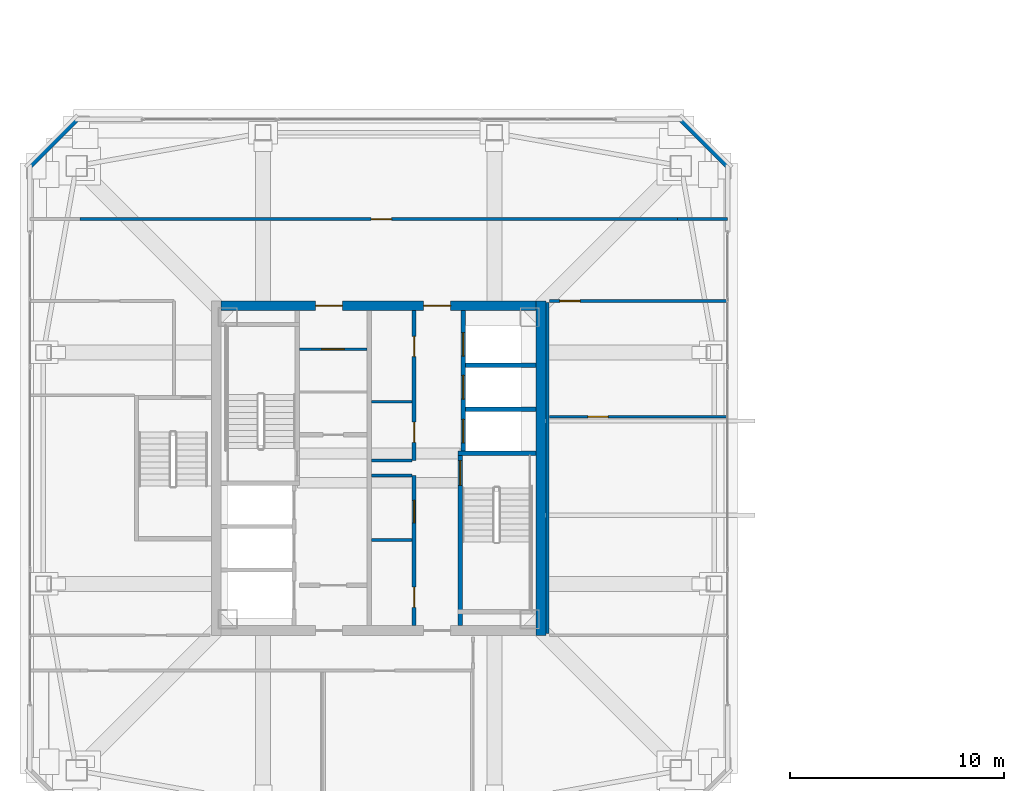
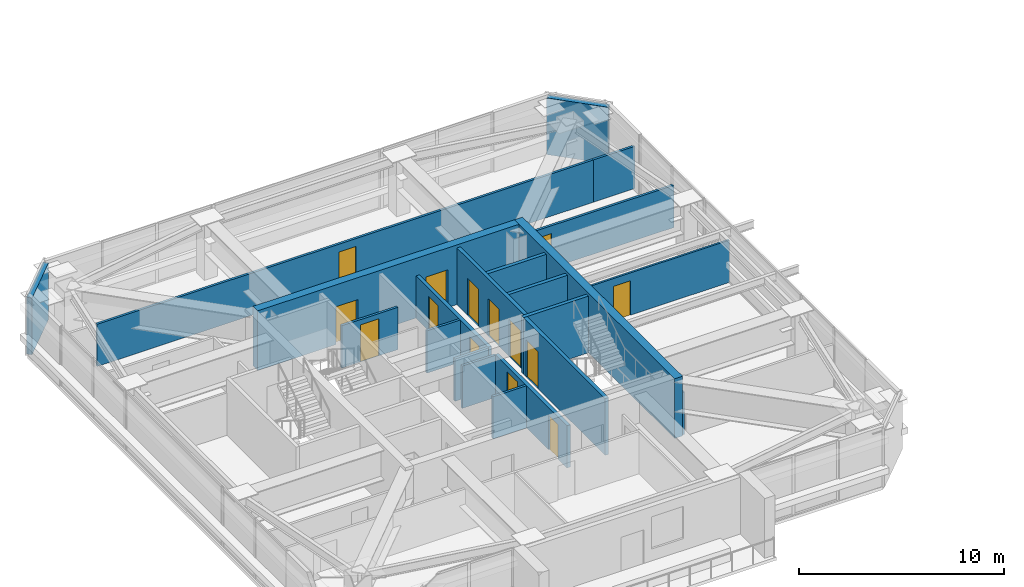
# One storey, part 31 of 40: 21 walls, 14 doors, 14 openings.
"""IFC4 building model written with IfcOpenShell, lengths in metres."""

from ifc_helpers import new_model, si_unit, direction, frame, frame_2d, origin, place, context, subcontext, project, spatial, rectangle, extrude, material, layer, layer_set, type_object, element, fill, save


model = new_model("IFC4")

# Units and contexts
model_context = context("Model", 3, precision=1e-05, world=origin(), true_north=direction((0.0, 1.0)))
body_context = subcontext(model_context, "Body", "Model", "MODEL_VIEW")
ifc_project = project(units=[si_unit("LENGTHUNIT", "METRE"), si_unit("AREAUNIT", "SQUARE_METRE"), si_unit("VOLUMEUNIT", "CUBIC_METRE"), si_unit("PLANEANGLEUNIT", "RADIAN"), si_unit("MASSUNIT", "GRAM", prefix="KILO")], contexts=[model_context])

# Site, building, storey
site_placement = place(None, origin())
site = spatial("IfcSite", under=ifc_project, at=site_placement, CompositionType="ELEMENT")
building_placement = place(site_placement, origin())
building = spatial("IfcBuilding", under=site, at=building_placement, Name="Tashvorn Skyway Center", CompositionType="ELEMENT")
storey_placement = place(building_placement, frame((0.0, 0.0, 229.050048828125)))
storey = spatial("IfcBuildingStorey", under=building, at=storey_placement, Name="L62", CompositionType="ELEMENT", Elevation=229.050048828125)

# Wall
ifc_material_1 = material(Name="Concrete C50/60", Category="concrete")
ifc_layer_1 = layer(ifc_material_1, 0.449951171875)
ifc_layer_set_1 = layer_set([ifc_layer_1], Name="Concrete C50/60")
wall_type_1 = type_object("IfcWallType", Name="WALL-CORE-450", PredefinedType="SHEAR", material=ifc_layer_set_1)
wall_1_placement = place(storey_placement, frame((49.574951171875, 39.800048828125, 0.0), z_axis=(0.0, 0.0, 1.0), x_axis=(0.0, -1.0, 0.0)))
element("IfcWall", 1, at=wall_1_placement, inside=storey, type_object=wall_type_1, Name="Tower 1 L62 East Core Shear Wall", PredefinedType="SHEAR", context=body_context, shape_type="SweptSolid", body=[
    extrude(rectangle(XDim=15.60009765625, YDim=0.449951171875, at=frame_2d((7.800048828125, 0.0))), origin(), (0.0, 0.0, 1.0), 3.550048828125),
])

# Wall, openings, doors
wall_2_placement = place(storey_placement, frame((34.64990234375, 39.574951171875, 0.0), z_axis=(0.0, 0.0, 1.0), x_axis=(1.0, 0.0, 0.0)))
wall_2 = element("IfcWall", 2, at=wall_2_placement, inside=storey, type_object=wall_type_1, Name="Tower 1 L62 North Core Shear Wall", PredefinedType="SHEAR", context=body_context, shape_type="SweptSolid", body=[
    extrude(rectangle(XDim=14.7001953125, YDim=0.449951171875, at=frame_2d((7.35009765625, 0.0))), origin(), (0.0, 0.0, 1.0), 3.550048828125),
])
opening_1_placement = place(wall_2_placement, frame((4.39990234375, 0.0, 0.0)))
opening_1 = element("IfcOpeningElement", 3, at=opening_1_placement, cuts=wall_2, Name="Opening D-FFL-1250", PredefinedType="OPENING", context=body_context, shape_type="SweptSolid", body=[
    extrude(rectangle(XDim=1.25, YDim=2.25, at=frame_2d((0.625, 1.125))), frame((0.0, 0.23486328125, 0.0), z_axis=(0.0, -1.0, 0.0), x_axis=(1.0, 0.0, 0.0)), (0.0, 0.0, 1.0), 0.469970703125),
])
opening_2_placement = place(wall_2_placement, frame((9.449951171875, 0.0, 0.0)))
opening_2 = element("IfcOpeningElement", 4, at=opening_2_placement, cuts=wall_2, Name="Opening D-FFL-1250", PredefinedType="OPENING", context=body_context, shape_type="SweptSolid", body=[
    extrude(rectangle(XDim=1.25, YDim=2.25, at=frame_2d((0.625, 1.125))), frame((0.0, 0.23486328125, 0.0), z_axis=(0.0, -1.0, 0.0), x_axis=(1.0, 0.0, 0.0)), (0.0, 0.0, 1.0), 0.469970703125),
])
ifc_material_2 = material(Name="Hollow galvanized steel fire door assembly", Category="steel")
door_type_1 = type_object("IfcDoorType", Name="DOOR-FFL-1250", OperationType="NOTDEFINED", PredefinedType="DOOR", material=ifc_material_2)
door_1_placement = place(opening_1_placement, origin())
door_1 = element("IfcDoor", 5, at=door_1_placement, inside=storey, type_object=door_type_1, Name="Tower 1 L62 Core North Service Lobby Door", OperationType="SINGLE_SWING_LEFT", OverallHeight=2.25, OverallWidth=1.25, PredefinedType="DOOR", context=body_context, shape_type="SweptSolid", body=[
    extrude(rectangle(XDim=1.25, YDim=2.25, at=frame_2d((0.625, 1.125))), frame((0.0, 0.02490234375, 0.0), z_axis=(0.0, -1.0, 0.0), x_axis=(1.0, 0.0, 0.0)), (0.0, 0.0, 1.0), 0.050048828125),
])
fill(opening_1, door_1)
door_2_placement = place(opening_2_placement, origin())
door_2 = element("IfcDoor", 6, at=door_2_placement, inside=storey, type_object=door_type_1, Name="Tower 1 L62 Core North Lift Lobby Door", OperationType="SINGLE_SWING_RIGHT", OverallHeight=2.25, OverallWidth=1.25, PredefinedType="DOOR", context=body_context, shape_type="SweptSolid", body=[
    extrude(rectangle(XDim=1.25, YDim=2.25, at=frame_2d((0.625, 1.125))), frame((0.0, 0.02490234375, 0.0), z_axis=(0.0, -1.0, 0.0), x_axis=(1.0, 0.0, 0.0)), (0.0, 0.0, 1.0), 0.050048828125),
])
fill(opening_2, door_2)

# Walls
ifc_material_3 = material(Name="Precast concrete C40/50", Category="concrete")
ifc_layer_2 = layer(ifc_material_3, 0.280029296875)
ifc_layer_set_2 = layer_set([ifc_layer_2], Name="Precast concrete C40/50")
wall_type_2 = type_object("IfcWallType", Name="WALL-EXT-280", PredefinedType="SOLIDWALL", material=ifc_layer_set_2)
for number, where, z_axis, x_axis, name in (
    (7, (25.699951171875, 46.10009765625, 0.0), (0.0, 0.0, 1.0), (0.707106781187, 0.707106781187, 0.0), "Tower 1 L62 NW Precast Chamfer Wall"),
    (8, (56.10009765625, 48.300048828125, 0.0), (0.0, 0.0, 1.0), (0.707106781187, -0.707106781187, 0.0), "Tower 1 L62 NE Precast Chamfer Wall"),
):
    element("IfcWall", number, at=place(storey_placement, frame(where, z_axis=z_axis, x_axis=x_axis)), inside=storey, type_object=wall_type_2, Name=name, PredefinedType="SOLIDWALL", context=body_context, shape_type="SweptSolid", body=[
        extrude(rectangle(XDim=3.111083984375, YDim=0.280029296875, at=frame_2d((1.5556640625, 0.0))), origin(), (0.0, 0.0, 1.0), 3.369873046875),
    ])

# Wall, opening, door
ifc_material_4 = material(Name="Gypsum board on cold-formed steel stud framing", Category="steel")
ifc_layer_3 = layer(ifc_material_4, 0.110107421875)
ifc_layer_set_3 = layer_set([ifc_layer_3], Name="Gypsum board on cold-formed steel stud framing")
wall_type_3 = type_object("IfcWallType", Name="WALL-PART-110", PredefinedType="PARTITIONING", material=ifc_layer_set_3)
wall_3_placement = place(storey_placement, frame((49.9599609375, 34.39990234375, 0.0), z_axis=(0.0, 0.0, 1.0), x_axis=(1.0, 0.0, 0.0)))
wall_3 = element("IfcWall", 9, at=wall_3_placement, inside=storey, type_object=wall_type_3, Name="Tower 1 L62 East Mid Partition", PredefinedType="PARTITIONING", context=body_context, shape_type="SweptSolid", body=[
    extrude(rectangle(XDim=8.320068359375, YDim=0.110107421875, at=frame_2d((4.16015625, 0.0))), origin(), (0.0, 0.0, 1.0), 2.512939453125),
])
opening_3_placement = place(wall_3_placement, frame((1.800048828125, 0.0, 0.0)))
opening_3 = element("IfcOpeningElement", 10, at=opening_3_placement, cuts=wall_3, Name="Opening D-INT-950", PredefinedType="OPENING", context=body_context, shape_type="SweptSolid", body=[
    extrude(rectangle(XDim=0.949951171875, YDim=2.050048828125, at=frame_2d((0.47509765625, 1.02490234375))), frame((0.0, 0.06494140625, 0.0), z_axis=(0.0, -1.0, 0.0), x_axis=(1.0, 0.0, 0.0)), (0.0, 0.0, 1.0), 0.130126953125),
])
ifc_material_5 = material(Name="Solid-core architectural oak veneer door")
door_type_2 = type_object("IfcDoorType", Name="DOOR-INT-950", OperationType="NOTDEFINED", PredefinedType="DOOR", material=ifc_material_5)
door_3_placement = place(opening_3_placement, origin())
door_3 = element("IfcDoor", 11, at=door_3_placement, inside=storey, type_object=door_type_2, Name="Tower 1 L62 Reading Lounge Door", OperationType="SINGLE_SWING_RIGHT", OverallHeight=2.050048828125, OverallWidth=0.949951171875, PredefinedType="DOOR", context=body_context, shape_type="SweptSolid", body=[
    extrude(rectangle(XDim=0.949951171875, YDim=2.050048828125, at=frame_2d((0.47509765625, 1.02490234375))), frame((0.0, 0.02490234375, 0.0), z_axis=(0.0, -1.0, 0.0), x_axis=(1.0, 0.0, 0.0)), (0.0, 0.0, 1.0), 0.050048828125),
])
fill(opening_3, door_3)

ifc_layer_4 = layer(ifc_material_4, 0.135009765625)
ifc_layer_set_4 = layer_set([ifc_layer_4], Name="Gypsum board on cold-formed steel stud framing")
wall_type_4 = type_object("IfcWallType", Name="WALL-PART-135", PredefinedType="PARTITIONING", material=ifc_layer_set_4)
wall_4_placement = place(storey_placement, frame((28.050048828125, 43.6201171875, 0.0), z_axis=(0.0, 0.0, 1.0), x_axis=(1.0, 0.0, 0.0)))
wall_4 = element("IfcWall", 12, at=wall_4_placement, inside=storey, type_object=wall_type_4, Name="Tower 1 L62 North Suite Wall", PredefinedType="PARTITIONING", context=body_context, shape_type="SweptSolid", body=[
    extrude(rectangle(XDim=27.89990234375, YDim=0.135009765625, at=frame_2d((13.949951171875, 0.0))), origin(), (0.0, 0.0, 1.0), 2.512939453125),
])
opening_4_placement = place(wall_4_placement, frame((13.6005859375, 0.0, 0.0)))
opening_4 = element("IfcOpeningElement", 13, at=opening_4_placement, cuts=wall_4, Name="Opening D-INT-950", PredefinedType="OPENING", context=body_context, shape_type="SweptSolid", body=[
    extrude(rectangle(XDim=0.949951171875, YDim=2.050048828125, at=frame_2d((0.47509765625, 1.02490234375))), frame((0.0, 0.077392578125, 0.0), z_axis=(0.0, -1.0, 0.0), x_axis=(1.0, 0.0, 0.0)), (0.0, 0.0, 1.0), 0.155029296875),
])
door_4_placement = place(opening_4_placement, origin())
door_4 = element("IfcDoor", 14, at=door_4_placement, inside=storey, type_object=door_type_2, Name="Tower 1 L62 Executive Study Lounge Door", OperationType="SINGLE_SWING_LEFT", OverallHeight=2.050048828125, OverallWidth=0.949951171875, PredefinedType="DOOR", context=body_context, shape_type="SweptSolid", body=[
    extrude(rectangle(XDim=0.949951171875, YDim=2.050048828125, at=frame_2d((0.47509765625, 1.02490234375))), frame((0.0, 0.02490234375, 0.0), z_axis=(0.0, -1.0, 0.0), x_axis=(1.0, 0.0, 0.0)), (0.0, 0.0, 1.0), 0.050048828125),
])
fill(opening_4, door_4)

# Walls
wall_5_placement = place(storey_placement, frame((55.949951171875, 43.6201171875, 0.0), z_axis=(0.0, 0.0, 1.0), x_axis=(1.0, 0.0, 0.0)))
element("IfcWall", 15, at=wall_5_placement, inside=storey, type_object=wall_type_4, Name="Tower 1 L62 North-East Suite South Wall", PredefinedType="PARTITIONING", context=body_context, shape_type="SweptSolid", body=[
    extrude(rectangle(XDim=2.330078125, YDim=0.135009765625, at=frame_2d((1.1650390625, 0.0))), origin(), (0.0, 0.0, 1.0), 2.512939453125),
])
wall_6_placement = place(storey_placement, frame((49.8798828125, 39.719970703125, 0.0), z_axis=(0.0, 0.0, 1.0), x_axis=(0.0, -1.0, 0.0)))
element("IfcWall", 16, at=wall_6_placement, inside=storey, type_object=wall_type_4, Name="Tower 1 L62 East Inner Suite Wall", PredefinedType="PARTITIONING", context=body_context, shape_type="SweptSolid", body=[
    extrude(rectangle(XDim=15.43994140625, YDim=0.135009765625, at=frame_2d((7.719970703125, 0.0))), origin(), (0.0, 0.0, 1.0), 2.512939453125),
])

# Wall, opening, door
wall_7_placement = place(storey_placement, frame((58.280029296875, 39.800048828125, 0.0), z_axis=(0.0, 0.0, 1.0), x_axis=(-1.0, 0.0, 0.0)))
wall_7 = element("IfcWall", 17, at=wall_7_placement, inside=storey, type_object=wall_type_4, Name="Tower 1 L62 East Suite North Wall", PredefinedType="PARTITIONING", context=body_context, shape_type="SweptSolid", body=[
    extrude(rectangle(XDim=8.320068359375, YDim=0.135009765625, at=frame_2d((4.16015625, 0.0))), origin(), (0.0, 0.0, 1.0), 2.512939453125),
])
opening_5_placement = place(wall_7_placement, frame((6.8798828125, 0.0, 0.0)))
opening_5 = element("IfcOpeningElement", 18, at=opening_5_placement, cuts=wall_7, Name="Opening D-INT-950", PredefinedType="OPENING", context=body_context, shape_type="SweptSolid", body=[
    extrude(rectangle(XDim=0.949951171875, YDim=2.050048828125, at=frame_2d((0.47509765625, 1.02490234375))), frame((0.0, 0.077392578125, 0.0), z_axis=(0.0, -1.0, 0.0), x_axis=(1.0, 0.0, 0.0)), (0.0, 0.0, 1.0), 0.155029296875),
])
door_5_placement = place(opening_5_placement, origin())
door_5 = element("IfcDoor", 19, at=door_5_placement, inside=storey, type_object=door_type_2, Name="Tower 1 L62 Open Plan Office Door", OperationType="SINGLE_SWING_LEFT", OverallHeight=2.050048828125, OverallWidth=0.949951171875, PredefinedType="DOOR", context=body_context, shape_type="SweptSolid", body=[
    extrude(rectangle(XDim=0.949951171875, YDim=2.050048828125, at=frame_2d((0.47509765625, 1.02490234375))), frame((0.0, 0.02490234375, 0.0), z_axis=(0.0, -1.0, 0.0), x_axis=(1.0, 0.0, 0.0)), (0.0, 0.0, 1.0), 0.050048828125),
])
fill(opening_5, door_5)

ifc_layer_5 = layer(ifc_material_4, 0.135009765625)
ifc_layer_set_5 = layer_set([ifc_layer_5], Name="Gypsum board on cold-formed steel stud framing")
wall_type_5 = type_object("IfcWallType", Name="WALL-RATED-135", PredefinedType="PARTITIONING", material=ifc_layer_set_5)
wall_8_placement = place(storey_placement, frame((38.300048828125, 37.550048828125, 0.0), z_axis=(0.0, 0.0, 1.0), x_axis=(1.0, 0.0, 0.0)))
wall_8 = element("IfcWall", 20, at=wall_8_placement, inside=storey, type_object=wall_type_5, Name="Tower 1 L62 Core Service Lobby Wall", PredefinedType="PARTITIONING", context=body_context, shape_type="SweptSolid", body=[
    extrude(rectangle(XDim=3.14990234375, YDim=0.135009765625, at=frame_2d((1.574951171875, 0.0))), origin(), (0.0, 0.0, 1.0), 2.512939453125),
])
opening_6_placement = place(wall_8_placement, frame((1.050048828125, 0.0, 0.0)))
opening_6 = element("IfcOpeningElement", 21, at=opening_6_placement, cuts=wall_8, Name="Opening D-RT-1050", PredefinedType="OPENING", context=body_context, shape_type="SweptSolid", body=[
    extrude(rectangle(XDim=1.050048828125, YDim=2.199951171875, at=frame_2d((0.52490234375, 1.10009765625))), frame((0.0, 0.077392578125, 0.0), z_axis=(0.0, -1.0, 0.0), x_axis=(1.0, 0.0, 0.0)), (0.0, 0.0, 1.0), 0.155029296875),
])
door_type_3 = type_object("IfcDoorType", Name="DOOR-RATED-1050", OperationType="NOTDEFINED", PredefinedType="DOOR", material=ifc_material_2)
door_6_placement = place(opening_6_placement, origin())
door_6 = element("IfcDoor", 22, at=door_6_placement, inside=storey, type_object=door_type_3, Name="Tower 1 L62 Core Accessible WC Door", OperationType="SINGLE_SWING_RIGHT", OverallHeight=2.199951171875, OverallWidth=1.050048828125, PredefinedType="DOOR", context=body_context, shape_type="SweptSolid", body=[
    extrude(rectangle(XDim=1.050048828125, YDim=2.199951171875, at=frame_2d((0.52490234375, 1.10009765625))), frame((0.0, 0.02490234375, 0.0), z_axis=(0.0, -1.0, 0.0), x_axis=(1.0, 0.0, 0.0)), (0.0, 0.0, 1.0), 0.050048828125),
])
fill(opening_6, door_6)

# Walls
for number, where, z_axis, x_axis, name in (
    (23, (41.669921875, 31.64990234375, 0.0), (0.0, 0.0, 1.0), (1.0, 0.0, 0.0), "Tower 1 L62 Core Room Partition"),
    (24, (41.669921875, 28.64990234375, 0.0), (0.0, 0.0, 1.0), (1.0, 0.0, 0.0), "Tower 1 L62 Freed Core Partition"),
    (25, (41.669921875, 32.35009765625, 0.0), (0.0, 0.0, 1.0), (1.0, 0.0, 0.0), "Tower 1 L62 Core Room Partition"),
    (26, (41.669921875, 35.10009765625, 0.0), (0.0, 0.0, 1.0), (1.0, 0.0, 0.0), "Tower 1 L62 Freed Mid-Rise Partition"),
):
    element("IfcWall", number, at=place(storey_placement, frame(where, z_axis=z_axis, x_axis=x_axis)), inside=storey, type_object=wall_type_5, Name=name, PredefinedType="PARTITIONING", context=body_context, shape_type="SweptSolid", body=[
        extrude(rectangle(XDim=1.880126953125, YDim=0.135009765625, at=frame_2d((0.93994140625, 0.0))), origin(), (0.0, 0.0, 1.0), 2.512939453125),
    ])
ifc_material_6 = material(Name="Concrete C40/50", Category="concrete")
ifc_layer_6 = layer(ifc_material_6, 0.199951171875)
ifc_layer_set_6 = layer_set([ifc_layer_6], Name="Concrete C40/50")
wall_type_6 = type_object("IfcWallType", Name="WALL-SHAFT-200", PredefinedType="SOLIDWALL", material=ifc_layer_set_6)
for number, where, z_axis, x_axis, name in (
    (27, (46.050048828125, 34.75, 0.0), (0.0, 0.0, 1.0), (1.0, 0.0, 0.0), "Tower 1 L62 High-Rise Shaft Divider"),
    (28, (46.050048828125, 36.800048828125, 0.0), (0.0, 0.0, 1.0), (1.0, 0.0, 0.0), "Tower 1 L62 High-Rise Shaft Divider"),
):
    element("IfcWall", number, at=place(storey_placement, frame(where, z_axis=z_axis, x_axis=x_axis)), inside=storey, type_object=wall_type_6, Name=name, PredefinedType="SOLIDWALL", context=body_context, shape_type="SweptSolid", body=[
        extrude(rectangle(XDim=3.300048828125, YDim=0.199951171875, at=frame_2d((1.64990234375, 0.0))), origin(), (0.0, 0.0, 1.0), 3.369873046875),
    ])

# Wall, openings, doors
wall_9_placement = place(storey_placement, frame((43.64990234375, 24.64990234375, 0.0), z_axis=(0.0, 0.0, 1.0), x_axis=(0.0, 1.0, 0.0)))
wall_9 = element("IfcWall", 29, at=wall_9_placement, inside=storey, type_object=wall_type_6, Name="Tower 1 L62 Low-Rise Core Wall", PredefinedType="SOLIDWALL", context=body_context, shape_type="SweptSolid", body=[
    extrude(rectangle(XDim=7.0, YDim=0.199951171875, at=frame_2d((3.5, 0.0))), origin(), (0.0, 0.0, 1.0), 2.512939453125),
])
opening_7_placement = place(wall_9_placement, frame((0.85009765625, 0.0, 0.0)))
opening_7 = element("IfcOpeningElement", 30, at=opening_7_placement, cuts=wall_9, Name="Opening D-RT-950", PredefinedType="OPENING", context=body_context, shape_type="SweptSolid", body=[
    extrude(rectangle(XDim=0.949951171875, YDim=2.050048828125, at=frame_2d((0.47509765625, 1.02490234375))), frame((0.0, 0.10986328125, 0.0), z_axis=(0.0, -1.0, 0.0), x_axis=(1.0, 0.0, 0.0)), (0.0, 0.0, 1.0), 0.219970703125),
])
opening_8_placement = place(wall_9_placement, frame((4.800048828125, 0.0, 0.0)))
opening_8 = element("IfcOpeningElement", 31, at=opening_8_placement, cuts=wall_9, Name="Opening D-RT-1050", PredefinedType="OPENING", context=body_context, shape_type="SweptSolid", body=[
    extrude(rectangle(XDim=1.050048828125, YDim=2.199951171875, at=frame_2d((0.52490234375, 1.10009765625))), frame((0.0, 0.10986328125, 0.0), z_axis=(0.0, -1.0, 0.0), x_axis=(1.0, 0.0, 0.0)), (0.0, 0.0, 1.0), 0.219970703125),
])
door_7_placement = place(opening_8_placement, origin())
door_7 = element("IfcDoor", 32, at=door_7_placement, inside=storey, type_object=door_type_3, Name="Tower 1 L62 Freed Core Room Door", OperationType="SINGLE_SWING_RIGHT", OverallHeight=2.199951171875, OverallWidth=1.050048828125, PredefinedType="DOOR", context=body_context, shape_type="SweptSolid", body=[
    extrude(rectangle(XDim=1.050048828125, YDim=2.199951171875, at=frame_2d((0.52490234375, 1.10009765625))), frame((0.0, 0.02490234375, 0.0), z_axis=(0.0, -1.0, 0.0), x_axis=(1.0, 0.0, 0.0)), (0.0, 0.0, 1.0), 0.050048828125),
])
fill(opening_8, door_7)
door_type_4 = type_object("IfcDoorType", Name="DOOR-RATED-950", OperationType="NOTDEFINED", PredefinedType="DOOR", material=ifc_material_2)
door_8_placement = place(opening_7_placement, origin())
door_8 = element("IfcDoor", 33, at=door_8_placement, inside=storey, type_object=door_type_4, Name="Tower 1 L62 Core Print Room Door", OperationType="SINGLE_SWING_LEFT", OverallHeight=2.050048828125, OverallWidth=0.949951171875, PredefinedType="DOOR", context=body_context, shape_type="SweptSolid", body=[
    extrude(rectangle(XDim=0.949951171875, YDim=2.050048828125, at=frame_2d((0.47509765625, 1.02490234375))), frame((0.0, 0.02490234375, 0.0), z_axis=(0.0, -1.0, 0.0), x_axis=(1.0, 0.0, 0.0)), (0.0, 0.0, 1.0), 0.050048828125),
])
fill(opening_7, door_8)

wall_10_placement = place(storey_placement, frame((43.64990234375, 32.35009765625, 0.0), z_axis=(0.0, 0.0, 1.0), x_axis=(0.0, 1.0, 0.0)))
wall_10 = element("IfcWall", 34, at=wall_10_placement, inside=storey, type_object=wall_type_6, Name="Tower 1 L62 Mid-Rise Core Wall", PredefinedType="SOLIDWALL", context=body_context, shape_type="SweptSolid", body=[
    extrude(rectangle(XDim=7.0, YDim=0.199951171875, at=frame_2d((3.5, 0.0))), origin(), (0.0, 0.0, 1.0), 2.512939453125),
])
opening_9_placement = place(wall_10_placement, frame((0.85009765625, 0.0, 0.0)))
opening_9 = element("IfcOpeningElement", 35, at=opening_9_placement, cuts=wall_10, Name="Opening D-RT-950", PredefinedType="OPENING", context=body_context, shape_type="SweptSolid", body=[
    extrude(rectangle(XDim=0.949951171875, YDim=2.050048828125, at=frame_2d((0.47509765625, 1.02490234375))), frame((0.0, 0.10986328125, 0.0), z_axis=(0.0, -1.0, 0.0), x_axis=(1.0, 0.0, 0.0)), (0.0, 0.0, 1.0), 0.219970703125),
])
opening_10_placement = place(wall_10_placement, frame((4.85009765625, 0.0, 0.0)))
opening_10 = element("IfcOpeningElement", 36, at=opening_10_placement, cuts=wall_10, Name="Opening D-RT-950", PredefinedType="OPENING", context=body_context, shape_type="SweptSolid", body=[
    extrude(rectangle(XDim=0.949951171875, YDim=2.050048828125, at=frame_2d((0.47509765625, 1.02490234375))), frame((0.0, 0.10986328125, 0.0), z_axis=(0.0, -1.0, 0.0), x_axis=(1.0, 0.0, 0.0)), (0.0, 0.0, 1.0), 0.219970703125),
])
door_9_placement = place(opening_9_placement, origin())
door_9 = element("IfcDoor", 37, at=door_9_placement, inside=storey, type_object=door_type_4, Name="Tower 1 L62 Core IT Room Door", OperationType="SINGLE_SWING_RIGHT", OverallHeight=2.050048828125, OverallWidth=0.949951171875, PredefinedType="DOOR", context=body_context, shape_type="SweptSolid", body=[
    extrude(rectangle(XDim=0.949951171875, YDim=2.050048828125, at=frame_2d((0.47509765625, 1.02490234375))), frame((0.0, 0.02490234375, 0.0), z_axis=(0.0, -1.0, 0.0), x_axis=(1.0, 0.0, 0.0)), (0.0, 0.0, 1.0), 0.050048828125),
])
fill(opening_9, door_9)
door_10_placement = place(opening_10_placement, origin())
door_10 = element("IfcDoor", 38, at=door_10_placement, inside=storey, type_object=door_type_4, Name="Tower 1 L62 Core Catering Pantry Door", OperationType="SINGLE_SWING_LEFT", OverallHeight=2.050048828125, OverallWidth=0.949951171875, PredefinedType="DOOR", context=body_context, shape_type="SweptSolid", body=[
    extrude(rectangle(XDim=0.949951171875, YDim=2.050048828125, at=frame_2d((0.47509765625, 1.02490234375))), frame((0.0, 0.02490234375, 0.0), z_axis=(0.0, -1.0, 0.0), x_axis=(1.0, 0.0, 0.0)), (0.0, 0.0, 1.0), 0.050048828125),
])
fill(opening_10, door_10)

# Wall, opening, door
ifc_layer_7 = layer(ifc_material_6, 0.199951171875)
ifc_layer_set_7 = layer_set([ifc_layer_7], Name="Concrete C40/50")
wall_type_7 = type_object("IfcWallType", Name="WALL-STSHF-200", PredefinedType="SHEAR", material=ifc_layer_set_7)
wall_11_placement = place(storey_placement, frame((45.800048828125, 32.800048828125, 0.0), z_axis=(0.0, 0.0, 1.0), x_axis=(0.0, -1.0, 0.0)))
wall_11 = element("IfcWall", 39, at=wall_11_placement, inside=storey, type_object=wall_type_7, Name="Tower 1 L62 Stair 2 Enclosure Wall", PredefinedType="SHEAR", context=body_context, shape_type="SweptSolid", body=[
    extrude(rectangle(XDim=8.150146484375, YDim=0.199951171875, at=frame_2d((4.0751953125, 0.0))), origin(), (0.0, 0.0, 1.0), 3.369873046875),
])
opening_11_placement = place(wall_11_placement, frame((0.449951171875, 0.0, 0.0)))
opening_11 = element("IfcOpeningElement", 40, at=opening_11_placement, cuts=wall_11, Name="Opening D-ST-1150", PredefinedType="OPENING", context=body_context, shape_type="SweptSolid", body=[
    extrude(rectangle(XDim=1.14990234375, YDim=2.199951171875, at=frame_2d((0.574951171875, 1.10009765625))), frame((0.0, 0.10986328125, 0.0), z_axis=(0.0, -1.0, 0.0), x_axis=(1.0, 0.0, 0.0)), (0.0, 0.0, 1.0), 0.219970703125),
])
door_type_5 = type_object("IfcDoorType", Name="DOOR-STAIR-1150", OperationType="NOTDEFINED", PredefinedType="DOOR", material=ifc_material_2)
door_11_placement = place(opening_11_placement, origin())
door_11 = element("IfcDoor", 41, at=door_11_placement, inside=storey, type_object=door_type_5, Name="Tower 1 L62 Exit Stair 2 Door", OperationType="SINGLE_SWING_RIGHT", OverallHeight=2.199951171875, OverallWidth=1.14990234375, PredefinedType="DOOR", context=body_context, shape_type="SweptSolid", body=[
    extrude(rectangle(XDim=1.14990234375, YDim=2.199951171875, at=frame_2d((0.574951171875, 1.10009765625))), frame((0.0, 0.02490234375, 0.0), z_axis=(0.0, -1.0, 0.0), x_axis=(1.0, 0.0, 0.0)), (0.0, 0.0, 1.0), 0.050048828125),
])
fill(opening_11, door_11)

# Wall
wall_12_placement = place(storey_placement, frame((45.699951171875, 32.699951171875, 0.0), z_axis=(0.0, 0.0, 1.0), x_axis=(1.0, 0.0, 0.0)))
element("IfcWall", 42, at=wall_12_placement, inside=storey, type_object=wall_type_7, Name="Tower 1 L62 Stair 2 North Wall", PredefinedType="SHEAR", context=body_context, shape_type="SweptSolid", body=[
    extrude(rectangle(XDim=3.650146484375, YDim=0.199951171875, at=frame_2d((1.8251953125, 0.0))), origin(), (0.0, 0.0, 1.0), 3.369873046875),
])

# Wall, openings, doors
wall_13_placement = place(storey_placement, frame((45.949951171875, 39.35009765625, 0.0), z_axis=(0.0, 0.0, 1.0), x_axis=(0.0, -1.0, 0.0)))
wall_13 = element("IfcWall", 43, at=wall_13_placement, inside=storey, type_object=wall_type_7, Name="Tower 1 L62 High-Rise Lift Shaft Front Wall", PredefinedType="SHEAR", context=body_context, shape_type="SweptSolid", body=[
    extrude(rectangle(XDim=6.550048828125, YDim=0.199951171875, at=frame_2d((3.27490234375, 0.0))), origin(), (0.0, 0.0, 1.0), 3.369873046875),
])
opening_12_placement = place(wall_13_placement, frame((5.074951171875, 0.0, 0.0)))
opening_12 = element("IfcOpeningElement", 44, at=opening_12_placement, cuts=wall_13, Name="Opening LD-HR-T1-1-L62", PredefinedType="OPENING", context=body_context, shape_type="SweptSolid", body=[
    extrude(rectangle(XDim=1.10009765625, YDim=2.199951171875, at=frame_2d((0.550048828125, 1.10009765625))), frame((0.0, 0.10986328125, 0.0), z_axis=(0.0, -1.0, 0.0), x_axis=(1.0, 0.0, 0.0)), (0.0, 0.0, 1.0), 0.219970703125),
])
opening_13_placement = place(wall_13_placement, frame((3.02490234375, 0.0, 0.0)))
opening_13 = element("IfcOpeningElement", 45, at=opening_13_placement, cuts=wall_13, Name="Opening LD-HR-T1-2-L62", PredefinedType="OPENING", context=body_context, shape_type="SweptSolid", body=[
    extrude(rectangle(XDim=1.10009765625, YDim=2.199951171875, at=frame_2d((0.550048828125, 1.10009765625))), frame((0.0, 0.10986328125, 0.0), z_axis=(0.0, -1.0, 0.0), x_axis=(1.0, 0.0, 0.0)), (0.0, 0.0, 1.0), 0.219970703125),
])
opening_14_placement = place(wall_13_placement, frame((1.02490234375, 0.0, 0.0)))
opening_14 = element("IfcOpeningElement", 46, at=opening_14_placement, cuts=wall_13, Name="Opening LD-HR-T1-3-L62", PredefinedType="OPENING", context=body_context, shape_type="SweptSolid", body=[
    extrude(rectangle(XDim=1.10009765625, YDim=2.199951171875, at=frame_2d((0.550048828125, 1.10009765625))), frame((0.0, 0.10986328125, 0.0), z_axis=(0.0, -1.0, 0.0), x_axis=(1.0, 0.0, 0.0)), (0.0, 0.0, 1.0), 0.219970703125),
])
ifc_material_7 = material(Name="Stainless steel landing door", Category="steel")
door_type_6 = type_object("IfcDoorType", Name="DOOR-LIFT-1100", OperationType="SLIDING_TO_LEFT", PredefinedType="DOOR", material=ifc_material_7)
door_12_placement = place(opening_12_placement, origin())
door_12 = element("IfcDoor", 47, at=door_12_placement, inside=storey, type_object=door_type_6, Name="Lift HR-T1-1 L62 Landing Door", OperationType="SLIDING_TO_LEFT", OverallHeight=2.199951171875, OverallWidth=1.10009765625, PredefinedType="DOOR", context=body_context, shape_type="SweptSolid", body=[
    extrude(rectangle(XDim=1.10009765625, YDim=2.199951171875, at=frame_2d((0.550048828125, 1.10009765625))), frame((0.0, 0.02490234375, 0.0), z_axis=(0.0, -1.0, 0.0), x_axis=(1.0, 0.0, 0.0)), (0.0, 0.0, 1.0), 0.050048828125),
])
fill(opening_12, door_12)
door_13_placement = place(opening_13_placement, origin())
door_13 = element("IfcDoor", 48, at=door_13_placement, inside=storey, type_object=door_type_6, Name="Lift HR-T1-2 L62 Landing Door", OperationType="SLIDING_TO_LEFT", OverallHeight=2.199951171875, OverallWidth=1.10009765625, PredefinedType="DOOR", context=body_context, shape_type="SweptSolid", body=[
    extrude(rectangle(XDim=1.10009765625, YDim=2.199951171875, at=frame_2d((0.550048828125, 1.10009765625))), frame((0.0, 0.02490234375, 0.0), z_axis=(0.0, -1.0, 0.0), x_axis=(1.0, 0.0, 0.0)), (0.0, 0.0, 1.0), 0.050048828125),
])
fill(opening_13, door_13)
door_14_placement = place(opening_14_placement, origin())
door_14 = element("IfcDoor", 49, at=door_14_placement, inside=storey, type_object=door_type_6, Name="Lift HR-T1-3 L62 Landing Door", OperationType="SLIDING_TO_LEFT", OverallHeight=2.199951171875, OverallWidth=1.10009765625, PredefinedType="DOOR", context=body_context, shape_type="SweptSolid", body=[
    extrude(rectangle(XDim=1.10009765625, YDim=2.199951171875, at=frame_2d((0.550048828125, 1.10009765625))), frame((0.0, 0.02490234375, 0.0), z_axis=(0.0, -1.0, 0.0), x_axis=(1.0, 0.0, 0.0)), (0.0, 0.0, 1.0), 0.050048828125),
])
fill(opening_14, door_14)

save(model, "model.ifc")
